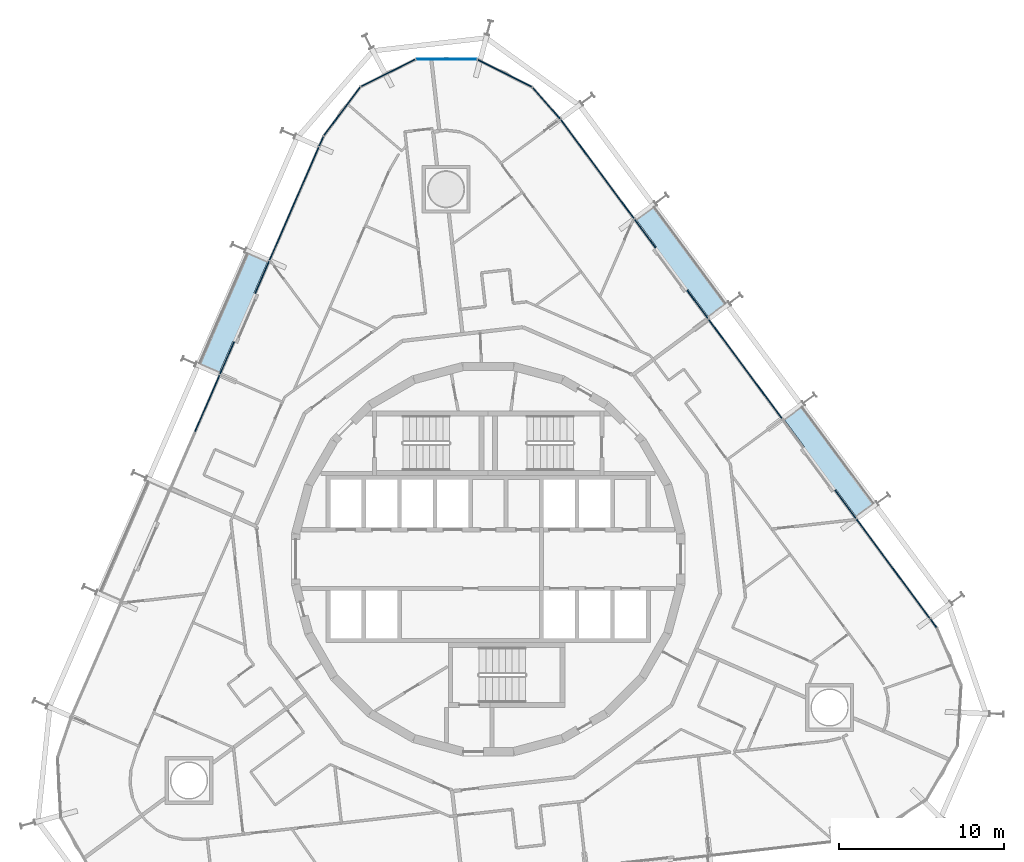
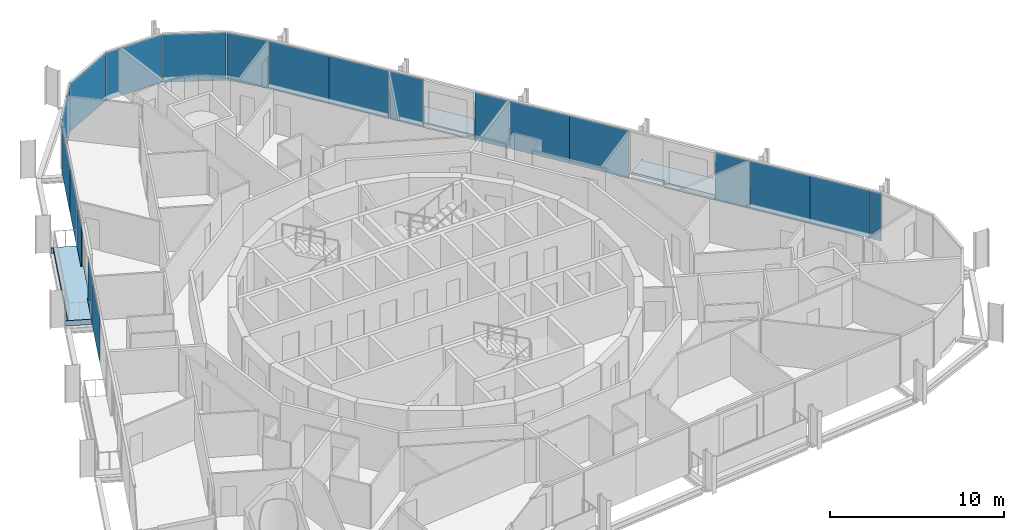
# One storey, part 15 of 23: 21 plates, 3 slabs, 4 elements without a shape of their own.
"""IFC4 building model written with IfcOpenShell, lengths in metres."""

from ifc_helpers import new_model, si_unit, direction, frame, origin, origin_2d, place, context, subcontext, project, spatial, polyline, rectangle, outline, extrude, material, layer, layer_set, type_object, element, aggregate, save


model = new_model("IFC4")

# Units and contexts
model_context = context("Model", 3, precision=1e-05, world=origin(), true_north=direction((0.0, 1.0)))
body_context = subcontext(model_context, "Body", "Model", "MODEL_VIEW")
ifc_project = project(units=[si_unit("LENGTHUNIT", "METRE"), si_unit("AREAUNIT", "SQUARE_METRE"), si_unit("VOLUMEUNIT", "CUBIC_METRE"), si_unit("PLANEANGLEUNIT", "RADIAN"), si_unit("MASSUNIT", "GRAM", prefix="KILO")], contexts=[model_context])

# Site, building, storey
site_placement = place(None, origin())
site = spatial("IfcSite", under=ifc_project, at=site_placement, CompositionType="ELEMENT")
building_placement = place(site_placement, origin())
building = spatial("IfcBuilding", under=site, at=building_placement, Name="Spindle Arch Residences", CompositionType="ELEMENT")
storey_placement = place(building_placement, frame((0.0, 0.0, 104.699951171875)))
storey = spatial("IfcBuildingStorey", under=building, at=storey_placement, Name="L25", CompositionType="ELEMENT", Elevation=104.699951171875)

# Slabs
ifc_material_1 = material(Name="Concrete C40/50", Category="concrete")
ifc_layer_1 = layer(ifc_material_1, 0.3798828125)
ifc_layer_set_1 = layer_set([ifc_layer_1], Name="Balcony slab 380")
slab_type = type_object("IfcSlabType", Name="Balcony slab 380", PredefinedType="FLOOR", material=ifc_layer_set_1)
slab_1_placement = place(storey_placement, frame((0.0, 0.0, -0.3798828125)))
element("IfcSlab", 1, at=slab_1_placement, inside=storey, type_object=slab_type, Name="Balcony L25 bay 7", PredefinedType="FLOOR", context=body_context, shape_type="SweptSolid", body=[
    extrude(outline(polyline([(23.470703125, 3.430419921875), (23.426025390625, 3.49072265625), (23.305419921875, 3.401611328125), (19.011474609375, 9.204345703125), (19.132080078125, 9.293701171875), (19.08740234375, 9.35400390625), (17.8896484375, 8.4677734375), (19.129638671875, 6.7919921875), (19.0009765625, 6.697021484375), (20.904296875, 4.12451171875), (21.032958984375, 4.2197265625), (22.27294921875, 2.544189453125), (23.470703125, 3.430419921875)])), origin(), (0.0, 0.0, 1.0), 0.3798828125),
])
slab_2_placement = place(storey_placement, frame((0.0, 0.0, -0.3798828125)))
element("IfcSlab", 2, at=slab_2_placement, inside=storey, type_object=slab_type, Name="Balcony L25 bay 9", PredefinedType="FLOOR", context=body_context, shape_type="SweptSolid", body=[
    extrude(outline(polyline([(14.52587890625, 15.5185546875), (14.481201171875, 15.578857421875), (14.360595703125, 15.48974609375), (10.066650390625, 21.29248046875), (10.187255859375, 21.3818359375), (10.142822265625, 21.442138671875), (8.945068359375, 20.5556640625), (10.184814453125, 18.880126953125), (10.05615234375, 18.78515625), (11.959716796875, 16.212646484375), (12.088134765625, 16.307861328125), (13.328125, 14.63232421875), (14.52587890625, 15.5185546875)])), origin(), (0.0, 0.0, 1.0), 0.3798828125),
])
slab_3_placement = place(storey_placement, frame((0.0, 0.0, -0.3798828125)))
element("IfcSlab", 3, at=slab_3_placement, inside=storey, type_object=slab_type, Name="Balcony L25 bay 15", PredefinedType="FLOOR", context=body_context, shape_type="SweptSolid", body=[
    extrude(outline(polyline([(-14.7060546875, 18.61083984375), (-14.736083984375, 18.5419921875), (-14.5986328125, 18.482177734375), (-17.47705078125, 11.8623046875), (-17.614501953125, 11.922119140625), (-17.64453125, 11.853271484375), (-16.278076171875, 11.259033203125), (-15.447021484375, 13.170654296875), (-15.30029296875, 13.10693359375), (-14.024169921875, 16.04150390625), (-14.1708984375, 16.105224609375), (-13.33984375, 18.016845703125), (-14.7060546875, 18.61083984375)])), origin(), (0.0, 0.0, 1.0), 0.3798828125),
])

# Curtain wall, plate
ifc_material_2 = material(Name="Aluminium bronze unitised frame with tinted glass", Category="aluminium")
ifc_layer_2 = layer(ifc_material_2, 0.159912109375)
ifc_layer_set_2 = layer_set([ifc_layer_2], Name="CW-D corner wall on the fillet arcs")
curtain_wall_type_1 = type_object("IfcCurtainWallType", Name="CW-D corner wall on the fillet arcs", PredefinedType="NOTDEFINED", material=ifc_layer_set_2)
curtain_wall_1_placement = place(storey_placement, origin())
curtain_wall_1 = element("IfcCurtainWall", 4, at=curtain_wall_1_placement, inside=storey, type_object=curtain_wall_type_1, Name="CW-D L25 run 1", PredefinedType="NOTDEFINED")
ifc_material_3 = material(Name="Tinted double glazing over aluminium faced non-combustible spandrel zone (K0)", Category="aluminium")
ifc_layer_3 = layer(ifc_material_3, 0.06005859375)
ifc_layer_set_3 = layer_set([ifc_layer_3], Name="Unitised glass panel with E 60 spandrel zone")
plate_type = type_object("IfcPlateType", Name="Unitised glass panel with E 60 spandrel zone", PredefinedType="CURTAIN_PANEL", material=ifc_layer_set_3)
plate_1_placement = place(storey_placement, frame((26.93408203125, -3.8896484375, -0.3798828125), z_axis=(0.0, 0.0, 1.0), x_axis=(-0.594822786751, 0.803856860617, 0.0)))
plate_1 = element("IfcPlate", 5, at=plate_1_placement, type_object=plate_type, Name="CW-D unit 05", PredefinedType="CURTAIN_PANEL", context=body_context, shape_type="SweptSolid", body=[
    extrude(rectangle(XDim=0.6416015625, YDim=0.06005859375, at=origin_2d()), origin(), (0.0, 0.0, 1.0), 3.31005859375),
])
aggregate(curtain_wall_1, [plate_1])

# Curtain wall, plates
ifc_material_4 = material(Name="Aluminium bronze unitised frame with tinted glass", Category="aluminium")
ifc_layer_4 = layer(ifc_material_4, 0.159912109375)
ifc_layer_set_4 = layer_set([ifc_layer_4], Name="CW-C typical residential unitised wall")
curtain_wall_type_2 = type_object("IfcCurtainWallType", Name="CW-C typical residential unitised wall", PredefinedType="NOTDEFINED", material=ifc_layer_set_4)
curtain_wall_2_placement = place(storey_placement, origin())
curtain_wall_2 = element("IfcCurtainWall", 6, at=curtain_wall_2_placement, inside=storey, type_object=curtain_wall_type_2, Name="CW-C L25 run 2", PredefinedType="NOTDEFINED")
plate_2_placement = place(storey_placement, frame((25.598388671875, -2.084716796875, -0.3798828125), z_axis=(0.0, 0.0, 1.0), x_axis=(-0.594822786751, 0.803856860617, 0.0)))
plate_2 = element("IfcPlate", 7, at=plate_2_placement, type_object=plate_type, Name="CW-C unit 05A", PredefinedType="CURTAIN_PANEL", context=body_context, shape_type="SweptSolid", body=[
    extrude(rectangle(XDim=3.7294921875, YDim=0.06005859375, at=origin_2d()), origin(), (0.0, 0.0, 1.0), 3.31005859375),
])
plate_3_placement = place(storey_placement, frame((23.380126953125, 0.913330078125, -0.3798828125), z_axis=(0.0, 0.0, 1.0), x_axis=(-0.594822786751, 0.803856860617, 0.0)))
plate_3 = element("IfcPlate", 8, at=plate_3_placement, type_object=plate_type, Name="CW-C unit 05B", PredefinedType="CURTAIN_PANEL", context=body_context, shape_type="SweptSolid", body=[
    extrude(rectangle(XDim=3.7294921875, YDim=0.06005859375, at=origin_2d()), origin(), (0.0, 0.0, 1.0), 3.31005859375),
])
plate_4_placement = place(storey_placement, frame((21.60205078125, 3.31640625, -0.3798828125), z_axis=(0.0, 0.0, 1.0), x_axis=(-0.594822786751, 0.803856860617, 0.0)))
plate_4 = element("IfcPlate", 9, at=plate_4_placement, type_object=plate_type, Name="CW-C unit 06L", PredefinedType="CURTAIN_PANEL", context=body_context, shape_type="SweptSolid", body=[
    extrude(rectangle(XDim=2.12939453125, YDim=0.06005859375, at=origin_2d()), origin(), (0.0, 0.0, 1.0), 3.31005859375),
])
plate_5_placement = place(storey_placement, frame((16.65380859375, 10.00341796875, -0.3798828125), z_axis=(0.0, 0.0, 1.0), x_axis=(-0.594822786751, 0.803856860617, 0.0)))
plate_5 = element("IfcPlate", 10, at=plate_5_placement, type_object=plate_type, Name="CW-C unit 07A", PredefinedType="CURTAIN_PANEL", context=body_context, shape_type="SweptSolid", body=[
    extrude(rectangle(XDim=3.7294921875, YDim=0.06005859375, at=origin_2d()), origin(), (0.0, 0.0, 1.0), 3.31005859375),
])
plate_6_placement = place(storey_placement, frame((14.435546875, 13.00146484375, -0.3798828125), z_axis=(0.0, 0.0, 1.0), x_axis=(-0.594822786751, 0.803856860617, 0.0)))
plate_6 = element("IfcPlate", 11, at=plate_6_placement, type_object=plate_type, Name="CW-C unit 07B", PredefinedType="CURTAIN_PANEL", context=body_context, shape_type="SweptSolid", body=[
    extrude(rectangle(XDim=3.7294921875, YDim=0.06005859375, at=origin_2d()), origin(), (0.0, 0.0, 1.0), 3.31005859375),
])
plate_7_placement = place(storey_placement, frame((12.6572265625, 15.404296875, -0.3798828125), z_axis=(0.0, 0.0, 1.0), x_axis=(-0.594822786751, 0.803856860617, 0.0)))
plate_7 = element("IfcPlate", 12, at=plate_7_placement, type_object=plate_type, Name="CW-C unit 08L", PredefinedType="CURTAIN_PANEL", context=body_context, shape_type="SweptSolid", body=[
    extrude(rectangle(XDim=2.12939453125, YDim=0.06005859375, at=origin_2d()), origin(), (0.0, 0.0, 1.0), 3.31005859375),
])
plate_8_placement = place(storey_placement, frame((9.4873046875, 19.6884765625, -0.3798828125), z_axis=(0.0, 0.0, 1.0), x_axis=(-0.594822786751, 0.803856860617, 0.0)))
plate_8 = element("IfcPlate", 13, at=plate_8_placement, type_object=plate_type, Name="CW-C unit 08R", PredefinedType="CURTAIN_PANEL", context=body_context, shape_type="SweptSolid", body=[
    extrude(rectangle(XDim=2.12939453125, YDim=0.06005859375, at=origin_2d()), origin(), (0.0, 0.0, 1.0), 3.31005859375),
])
plate_9_placement = place(storey_placement, frame((7.708984375, 22.091552734375, -0.3798828125), z_axis=(0.0, 0.0, 1.0), x_axis=(-0.594822786751, 0.803856860617, 0.0)))
plate_9 = element("IfcPlate", 14, at=plate_9_placement, type_object=plate_type, Name="CW-C unit 09A", PredefinedType="CURTAIN_PANEL", context=body_context, shape_type="SweptSolid", body=[
    extrude(rectangle(XDim=3.7294921875, YDim=0.06005859375, at=origin_2d()), origin(), (0.0, 0.0, 1.0), 3.31005859375),
])
plate_10_placement = place(storey_placement, frame((5.49072265625, 25.08935546875, -0.3798828125), z_axis=(0.0, 0.0, 1.0), x_axis=(-0.594822786751, 0.803856860617, 0.0)))
plate_10 = element("IfcPlate", 15, at=plate_10_placement, type_object=plate_type, Name="CW-C unit 09B", PredefinedType="CURTAIN_PANEL", context=body_context, shape_type="SweptSolid", body=[
    extrude(rectangle(XDim=3.7294921875, YDim=0.06005859375, at=origin_2d()), origin(), (0.0, 0.0, 1.0), 3.31005859375),
])
aggregate(curtain_wall_2, [plate_2, plate_3, plate_4, plate_5, plate_6, plate_7, plate_8, plate_9, plate_10])

curtain_wall_3_placement = place(storey_placement, origin())
curtain_wall_3 = element("IfcCurtainWall", 16, at=curtain_wall_3_placement, inside=storey, type_object=curtain_wall_type_1, Name="CW-D L25 run 3", PredefinedType="NOTDEFINED")
plate_11_placement = place(storey_placement, frame((3.513427734375, 27.57861328125, -0.3798828125), z_axis=(0.0, 0.0, 1.0), x_axis=(-0.660703891733, 0.750646632877, 0.0)))
plate_11 = element("IfcPlate", 17, at=plate_11_placement, type_object=plate_type, Name="CW-D unit 00", PredefinedType="CURTAIN_PANEL", context=body_context, shape_type="SweptSolid", body=[
    extrude(rectangle(XDim=2.51416015625, YDim=0.06005859375, at=origin_2d()), origin(), (0.0, 0.0, 1.0), 3.31005859375),
])
plate_12_placement = place(storey_placement, frame((1.000244140625, 29.385986328125, -0.3798828125), z_axis=(0.0, 0.0, 1.0), x_axis=(-0.892323355439, 0.451396753797, 0.0)))
plate_12 = element("IfcPlate", 18, at=plate_12_placement, type_object=plate_type, Name="CW-D unit 01", PredefinedType="CURTAIN_PANEL", context=body_context, shape_type="SweptSolid", body=[
    extrude(rectangle(XDim=3.666748046875, YDim=0.06005859375, at=origin_2d()), origin(), (0.0, 0.0, 1.0), 3.31005859375),
])
plate_13_placement = place(storey_placement, frame((-2.52587890625, 30.232421875, -0.3798828125), z_axis=(0.0, 0.0, 1.0), x_axis=(-0.999995769195, 0.002908881551, 0.0)))
plate_13 = element("IfcPlate", 19, at=plate_13_placement, type_object=plate_type, Name="CW-D unit 02", PredefinedType="CURTAIN_PANEL", context=body_context, shape_type="SweptSolid", body=[
    extrude(rectangle(XDim=3.666748046875, YDim=0.06005859375, at=origin_2d()), origin(), (0.0, 0.0, 1.0), 3.31005859375),
])
plate_14_placement = place(storey_placement, frame((-6.056884765625, 29.406494140625, -0.3798828125), z_axis=(0.0, 0.0, 1.0), x_axis=(-0.89493436175, -0.446197812813, 0.0)))
plate_14 = element("IfcPlate", 20, at=plate_14_placement, type_object=plate_type, Name="CW-D unit 03", PredefinedType="CURTAIN_PANEL", context=body_context, shape_type="SweptSolid", body=[
    extrude(rectangle(XDim=3.666748046875, YDim=0.06005859375, at=origin_2d()), origin(), (0.0, 0.0, 1.0), 3.31005859375),
])
plate_15_placement = place(storey_placement, frame((-8.841552734375, 27.08349609375, -0.3798828125), z_axis=(0.0, 0.0, 1.0), x_axis=(-0.599489340736, -0.800382739909, 0.0)))
plate_15 = element("IfcPlate", 21, at=plate_15_placement, type_object=plate_type, Name="CW-D unit 04", PredefinedType="CURTAIN_PANEL", context=body_context, shape_type="SweptSolid", body=[
    extrude(rectangle(XDim=3.666748046875, YDim=0.06005859375, at=origin_2d()), origin(), (0.0, 0.0, 1.0), 3.31005859375),
])
plate_16_placement = place(storey_placement, frame((-10.098388671875, 25.2705078125, -0.3798828125), z_axis=(0.0, 0.0, 1.0), x_axis=(-0.398749068925, -0.917060074385, 0.0)))
plate_16 = element("IfcPlate", 22, at=plate_16_placement, type_object=plate_type, Name="CW-D unit 05", PredefinedType="CURTAIN_PANEL", context=body_context, shape_type="SweptSolid", body=[
    extrude(rectangle(XDim=0.6416015625, YDim=0.06005859375, at=origin_2d()), origin(), (0.0, 0.0, 1.0), 3.31005859375),
])
aggregate(curtain_wall_3, [plate_11, plate_12, plate_13, plate_14, plate_15, plate_16])

curtain_wall_4_placement = place(storey_placement, origin())
curtain_wall_4 = element("IfcCurtainWall", 23, at=curtain_wall_4_placement, inside=storey, type_object=curtain_wall_type_2, Name="CW-C L25 run 4", PredefinedType="NOTDEFINED")
plate_17_placement = place(storey_placement, frame((-10.993896484375, 23.211181640625, -0.3798828125), z_axis=(0.0, 0.0, 1.0), x_axis=(-0.398749068925, -0.917060074385, 0.0)))
plate_17 = element("IfcPlate", 24, at=plate_17_placement, type_object=plate_type, Name="CW-C unit 13A", PredefinedType="CURTAIN_PANEL", context=body_context, shape_type="SweptSolid", body=[
    extrude(rectangle(XDim=3.7294921875, YDim=0.06005859375, at=origin_2d()), origin(), (0.0, 0.0, 1.0), 3.31005859375),
])
plate_18_placement = place(storey_placement, frame((-12.48095703125, 19.791259765625, -0.3798828125), z_axis=(0.0, 0.0, 1.0), x_axis=(-0.398749068925, -0.917060074385, 0.0)))
plate_18 = element("IfcPlate", 25, at=plate_18_placement, type_object=plate_type, Name="CW-C unit 13B", PredefinedType="CURTAIN_PANEL", context=body_context, shape_type="SweptSolid", body=[
    extrude(rectangle(XDim=3.7294921875, YDim=0.06005859375, at=origin_2d()), origin(), (0.0, 0.0, 1.0), 3.31005859375),
])
plate_19_placement = place(storey_placement, frame((-13.673095703125, 17.0498046875, -0.3798828125), z_axis=(0.0, 0.0, 1.0), x_axis=(-0.398749068925, -0.917060074385, 0.0)))
plate_19 = element("IfcPlate", 26, at=plate_19_placement, type_object=plate_type, Name="CW-C unit 14L", PredefinedType="CURTAIN_PANEL", context=body_context, shape_type="SweptSolid", body=[
    extrude(rectangle(XDim=2.12939453125, YDim=0.06005859375, at=origin_2d()), origin(), (0.0, 0.0, 1.0), 3.31005859375),
])
plate_20_placement = place(storey_placement, frame((-15.798095703125, 12.162353515625, -0.3798828125), z_axis=(0.0, 0.0, 1.0), x_axis=(-0.398749068925, -0.917060074385, 0.0)))
plate_20 = element("IfcPlate", 27, at=plate_20_placement, type_object=plate_type, Name="CW-C unit 14R", PredefinedType="CURTAIN_PANEL", context=body_context, shape_type="SweptSolid", body=[
    extrude(rectangle(XDim=2.12939453125, YDim=0.06005859375, at=origin_2d()), origin(), (0.0, 0.0, 1.0), 3.31005859375),
])
plate_21_placement = place(storey_placement, frame((-16.990234375, 9.4208984375, -0.3798828125), z_axis=(0.0, 0.0, 1.0), x_axis=(-0.398749068925, -0.917060074385, 0.0)))
plate_21 = element("IfcPlate", 28, at=plate_21_placement, type_object=plate_type, Name="CW-C unit 15A", PredefinedType="CURTAIN_PANEL", context=body_context, shape_type="SweptSolid", body=[
    extrude(rectangle(XDim=3.7294921875, YDim=0.06005859375, at=origin_2d()), origin(), (0.0, 0.0, 1.0), 3.31005859375),
])
aggregate(curtain_wall_4, [plate_17, plate_18, plate_19, plate_20, plate_21])

save(model, "model.ifc")
